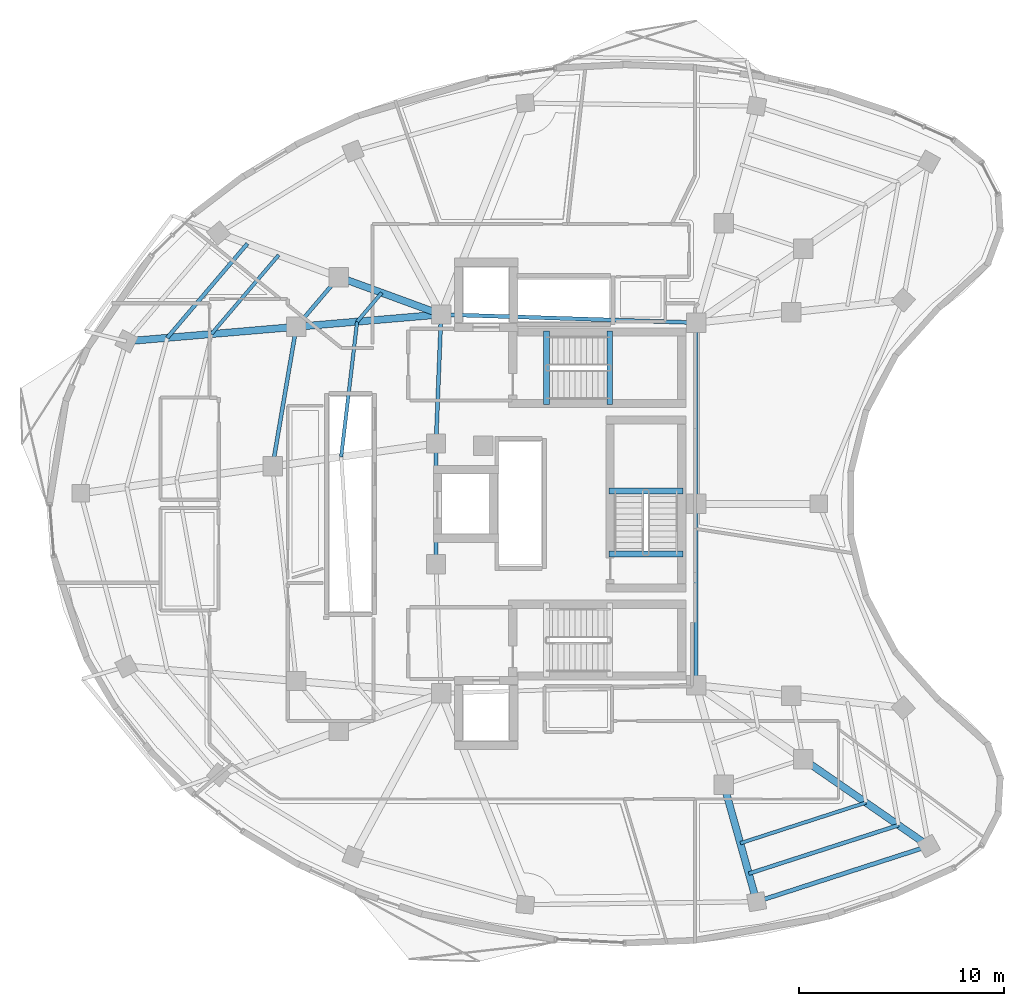
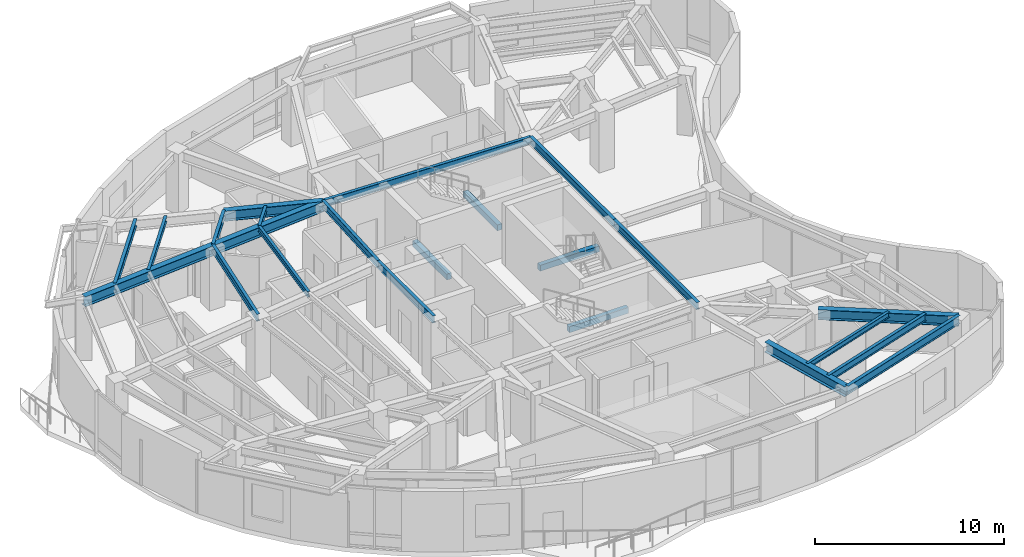
# One storey, part 3 of 14: 23 beams.
"""IFC4 building model written with IfcOpenShell, lengths in metres."""

from ifc_helpers import new_model, si_unit, direction, frame, origin, origin_2d, place, context, subcontext, project, spatial, rectangle, i_section, extrude, material, material_profile, profile_set, type_object, element, save


model = new_model("IFC4")

# Units and contexts
model_context = context("Model", 3, precision=1e-05, world=origin(), true_north=direction((0.0, 1.0)))
body_context = subcontext(model_context, "Body", "Model", "MODEL_VIEW")
ifc_project = project(units=[si_unit("LENGTHUNIT", "METRE"), si_unit("AREAUNIT", "SQUARE_METRE"), si_unit("VOLUMEUNIT", "CUBIC_METRE"), si_unit("PLANEANGLEUNIT", "RADIAN"), si_unit("MASSUNIT", "GRAM", prefix="KILO")], contexts=[model_context])

# Site, building, storey
site_placement = place(None, origin())
site = spatial("IfcSite", under=ifc_project, at=site_placement, CompositionType="ELEMENT")
building_placement = place(site_placement, origin())
building = spatial("IfcBuilding", under=site, at=building_placement, Name="Korentha Bioscience Tower", CompositionType="ELEMENT")
storey_placement = place(building_placement, frame((0.0, 0.0, 247.800048828125)))
storey = spatial("IfcBuildingStorey", under=building, at=storey_placement, Name="L57", CompositionType="ELEMENT", Elevation=247.800048828125)

# Beams
ifc_material_1 = material(Name="Concrete C50", Category="concrete")
ifc_material_profile_1 = material_profile(ifc_material_1, rectangle(XDim=0.280029296875, YDim=0.3798828125, at=origin_2d()), Name="Concrete C50")
ifc_profile_set_1 = profile_set([ifc_material_profile_1], Name="Concrete C50 (ST-HB380)")
beam_type_1 = type_object("IfcBeamType", Name="Concrete Stair Header Beam RC 280x380", PredefinedType="BEAM", material=ifc_profile_set_1)
for number, where, z_axis, x_axis, name in (
    (1, (30.25, 31.85009765625, -0.18994140625), (0.0, 1.0, 0.0), (-1.0, 0.0, 0.0), "L57 ST-1 Concrete Stair Header Beam"),
    (2, (33.330078125, 31.85009765625, 1.909912109375), (0.0, 1.0, 0.0), (-1.0, 0.0, 0.0), "L57 ST-1 Half-Landing Header Beam 1"),
    (3, (36.89990234375, 24.550048828125, -0.18994140625), (-1.0, 0.0, 0.0), (0.0, -1.0, 0.0), "L57 ST-3 Concrete Stair Header Beam"),
    (4, (36.89990234375, 27.6298828125, 1.909912109375), (-1.0, 0.0, 0.0), (0.0, -1.0, 0.0), "L57 ST-3 Half-Landing Header Beam 1"),
):
    element("IfcBeam", number, at=place(storey_placement, frame(where, z_axis=z_axis, x_axis=x_axis)), inside=storey, type_object=beam_type_1, Name=name, PredefinedType="BEAM", context=body_context, shape_type="SweptSolid", body=[
        extrude(rectangle(XDim=0.280029296875, YDim=0.3798828125, at=origin_2d()), origin(), (0.0, 0.0, 1.0), 3.599853515625),
    ])
ifc_material_2 = material(Name="Steel S355", Category="steel")
ifc_material_profile_2 = material_profile(ifc_material_2, i_section(OverallWidth=0.18994140625, OverallDepth=0.45703125, WebThickness=0.009033203125, FlangeThickness=0.014404296875, at=origin_2d()), Name="Steel S355")
ifc_profile_set_2 = profile_set([ifc_material_profile_2], Name="Steel S355 (MB-460)")
beam_type_2 = type_object("IfcBeamType", Name="Mid-Ring Tie Girder W460x74", PredefinedType="BEAM", material=ifc_profile_set_2)
beam_1_placement = place(storey_placement, frame((20.102294921875, 38.07861328125, 3.67138671875), z_axis=(-0.648477940418, -0.761233446974, 0.0), x_axis=(0.761233446974, -0.648477940418, 0.0)))
element("IfcBeam", 5, at=beam_1_placement, inside=storey, type_object=beam_type_2, Name="L57 Mid-Ring Tie Girder 05", PredefinedType="BEAM", context=body_context, shape_type="SweptSolid", body=[
    extrude(i_section(OverallWidth=0.18994140625, OverallDepth=0.45703125, WebThickness=0.009033203125, FlangeThickness=0.014404296875, at=origin_2d()), origin(), (0.0, 0.0, 1.0), 3.193603515625),
])
beam_2_placement = place(storey_placement, frame((18.03125, 35.6474609375, 3.67138671875), z_axis=(-0.168147535946, -0.985761840484, 0.0), x_axis=(0.985761840484, -0.168147535946, 0.0)))
element("IfcBeam", 6, at=beam_2_placement, inside=storey, type_object=beam_type_2, Name="L57 Mid-Ring Tie Girder 06", PredefinedType="BEAM", context=body_context, shape_type="SweptSolid", body=[
    extrude(i_section(OverallWidth=0.18994140625, OverallDepth=0.45703125, WebThickness=0.009033203125, FlangeThickness=0.014404296875, at=origin_2d()), origin(), (0.0, 0.0, 1.0), 6.91552734375),
])
beam_3_placement = place(storey_placement, frame((37.550048828125, 35.85009765625, 3.67138671875), z_axis=(-0.999484526071, 0.032104238723, 0.0), x_axis=(-0.032104238723, -0.999484526071, 0.0)))
element("IfcBeam", 7, at=beam_3_placement, inside=storey, type_object=beam_type_2, Name="L57 Core Ring Tie Girder 01", PredefinedType="BEAM", context=body_context, shape_type="SweptSolid", body=[
    extrude(i_section(OverallWidth=0.18994140625, OverallDepth=0.45703125, WebThickness=0.009033203125, FlangeThickness=0.014404296875, at=origin_2d()), origin(), (0.0, 0.0, 1.0), 12.456298828125),
])
beam_4_placement = place(storey_placement, frame((25.10009765625, 36.25, 3.67138671875), z_axis=(-0.039651025576, -0.999213588864, 0.0), x_axis=(0.999213588864, -0.039651025576, 0.0)))
element("IfcBeam", 8, at=beam_4_placement, inside=storey, type_object=beam_type_2, Name="L57 Core Ring Tie Girder 02", PredefinedType="BEAM", context=body_context, shape_type="SweptSolid", body=[
    extrude(i_section(OverallWidth=0.18994140625, OverallDepth=0.45703125, WebThickness=0.009033203125, FlangeThickness=0.014404296875, at=origin_2d()), origin(), (0.0, 0.0, 1.0), 6.304931640625),
])
beam_5_placement = place(storey_placement, frame((24.85009765625, 29.949951171875, 3.67138671875), z_axis=(0.0, -1.0, 0.0), x_axis=(1.0, 0.0, 0.0)))
element("IfcBeam", 9, at=beam_5_placement, inside=storey, type_object=beam_type_2, Name="L57 Core Ring Tie Girder 03", PredefinedType="BEAM", context=body_context, shape_type="SweptSolid", body=[
    extrude(i_section(OverallWidth=0.18994140625, OverallDepth=0.45703125, WebThickness=0.009033203125, FlangeThickness=0.014404296875, at=origin_2d()), origin(), (0.0, 0.0, 1.0), 5.89990234375),
])
for number, where, z_axis, x_axis, name in (
    (10, (37.550048828125, 18.14990234375, 3.67138671875), (0.0, 1.0, 0.0), (-1.0, 0.0, 0.0), "L57 Core Ring Tie Girder 06"),
    (11, (37.550048828125, 27.0, 3.67138671875), (0.0, 1.0, 0.0), (-1.0, 0.0, 0.0), "L57 Core Ring Tie Girder 07"),
):
    element("IfcBeam", number, at=place(storey_placement, frame(where, z_axis=z_axis, x_axis=x_axis)), inside=storey, type_object=beam_type_2, Name=name, PredefinedType="BEAM", context=body_context, shape_type="SweptSolid", body=[
        extrude(i_section(OverallWidth=0.18994140625, OverallDepth=0.45703125, WebThickness=0.009033203125, FlangeThickness=0.014404296875, at=origin_2d()), origin(), (0.0, 0.0, 1.0), 8.85009765625),
    ])
ifc_material_profile_3 = material_profile(ifc_material_2, i_section(OverallWidth=0.208984375, OverallDepth=0.532958984375, WebThickness=0.01025390625, FlangeThickness=0.015625, at=origin_2d()), Name="Steel S355")
ifc_profile_set_3 = profile_set([ifc_material_profile_3], Name="Steel S355 (SB-530)")
beam_type_3 = type_object("IfcBeamType", Name="Perimeter Ring Spandrel Girder W530x92", PredefinedType="SPANDREL", material=ifc_profile_set_3)
beam_6_placement = place(storey_placement, frame((40.5087890625, 7.576171875, 3.633544921875), z_axis=(0.951540431246, 0.307523670151, 0.0), x_axis=(-0.307523670151, 0.951540431246, 0.0)))
element("IfcBeam", 12, at=beam_6_placement, inside=storey, type_object=beam_type_3, Name="L57 Perimeter Spandrel Girder 12", PredefinedType="SPANDREL", context=body_context, shape_type="SweptSolid", body=[
    extrude(i_section(OverallWidth=0.208984375, OverallDepth=0.532958984375, WebThickness=0.01025390625, FlangeThickness=0.015625, at=origin_2d()), origin(), (0.0, 0.0, 1.0), 8.83203125),
])
ifc_material_profile_4 = material_profile(ifc_material_2, i_section(OverallWidth=0.18994140625, OverallDepth=0.45703125, WebThickness=0.009033203125, FlangeThickness=0.014404296875, at=origin_2d()), Name="Steel S355")
ifc_profile_set_4 = profile_set([ifc_material_profile_4], Name="Steel S355 (RB-460)")
beam_type_4 = type_object("IfcBeamType", Name="Radial Laboratory Beam W460x74", PredefinedType="BEAM", material=ifc_profile_set_4)
beam_7_placement = place(storey_placement, frame((15.643310546875, 39.710205078125, 3.67138671875), z_axis=(-0.64841269497, -0.761289023303, 0.0), x_axis=(0.761289023303, -0.64841269497, 0.0)))
element("IfcBeam", 13, at=beam_7_placement, inside=storey, type_object=beam_type_4, Name="L57 Secondary Floor Beam JSTO-05", PredefinedType="BEAM", context=body_context, shape_type="SweptSolid", body=[
    extrude(i_section(OverallWidth=0.18994140625, OverallDepth=0.45703125, WebThickness=0.009033203125, FlangeThickness=0.014404296875, at=origin_2d()), origin(), (0.0, 0.0, 1.0), 6.043212890625),
])
beam_8_placement = place(storey_placement, frame((40.12548828125, 8.946533203125, 3.67138671875), z_axis=(0.951530655781, 0.307553915777, 0.0), x_axis=(-0.307553915777, 0.951530655781, 0.0)))
element("IfcBeam", 14, at=beam_8_placement, inside=storey, type_object=beam_type_4, Name="L57 Secondary Floor Beam JSTO-12", PredefinedType="BEAM", context=body_context, shape_type="SweptSolid", body=[
    extrude(i_section(OverallWidth=0.18994140625, OverallDepth=0.45703125, WebThickness=0.009033203125, FlangeThickness=0.014404296875, at=origin_2d()), origin(), (0.0, 0.0, 1.0), 7.687255859375),
])
ifc_material_profile_5 = material_profile(ifc_material_2, i_section(OverallWidth=0.35009765625, OverallDepth=0.64990234375, WebThickness=0.01611328125, FlangeThickness=0.02490234375, at=origin_2d()), Name="Steel S355")
ifc_profile_set_5 = profile_set([ifc_material_profile_5], Name="Steel S355 (RB-650)")
beam_type_5 = type_object("IfcBeamType", Name="Radial Laboratory Girder CVS 650x208", PredefinedType="BEAM", material=ifc_profile_set_5)
beam_9_placement = place(storey_placement, frame((25.10009765625, 36.25, 3.574951171875), z_axis=(-0.939113825958, 0.34360620177, 0.0), x_axis=(-0.34360620177, -0.939113825958, 0.0)))
element("IfcBeam", 15, at=beam_9_placement, inside=storey, type_object=beam_type_5, Name="L57 Inner Radial Girder 05", PredefinedType="BEAM", context=body_context, shape_type="SweptSolid", body=[
    extrude(i_section(OverallWidth=0.35009765625, OverallDepth=0.64990234375, WebThickness=0.01611328125, FlangeThickness=0.02490234375, at=origin_2d()), origin(), (0.0, 0.0, 1.0), 5.32177734375),
])
beam_10_placement = place(storey_placement, frame((25.10009765625, 36.25, 3.574951171875), z_axis=(-0.996386862802, -0.084930675464, 0.0), x_axis=(0.084930675464, -0.996386862802, 0.0)))
element("IfcBeam", 16, at=beam_10_placement, inside=storey, type_object=beam_type_5, Name="L57 Inner Radial Girder 06", PredefinedType="BEAM", context=body_context, shape_type="SweptSolid", body=[
    extrude(i_section(OverallWidth=0.35009765625, OverallDepth=0.64990234375, WebThickness=0.01611328125, FlangeThickness=0.02490234375, at=origin_2d()), origin(), (0.0, 0.0, 1.0), 7.094482421875),
])
beam_11_placement = place(storey_placement, frame((18.03125, 35.6474609375, 3.574951171875), z_axis=(-0.996384608351, -0.084957120013, 0.0), x_axis=(0.084957120013, -0.996384608351, 0.0)))
element("IfcBeam", 17, at=beam_11_placement, inside=storey, type_object=beam_type_5, Name="L57 Outer Radial Girder 06", PredefinedType="BEAM", context=body_context, shape_type="SweptSolid", body=[
    extrude(i_section(OverallWidth=0.35009765625, OverallDepth=0.64990234375, WebThickness=0.01611328125, FlangeThickness=0.02490234375, at=origin_2d()), origin(), (0.0, 0.0, 1.0), 8.327880859375),
])
beam_12_placement = place(storey_placement, frame((38.9111328125, 13.285888671875, 3.574951171875), z_axis=(0.269463441067, -0.963010619842, 0.0), x_axis=(0.963010619842, 0.269463441067, 0.0)))
element("IfcBeam", 18, at=beam_12_placement, inside=storey, type_object=beam_type_5, Name="L57 Outer Radial Girder 12", PredefinedType="BEAM", context=body_context, shape_type="SweptSolid", body=[
    extrude(i_section(OverallWidth=0.35009765625, OverallDepth=0.64990234375, WebThickness=0.01611328125, FlangeThickness=0.02490234375, at=origin_2d()), origin(), (0.0, 0.0, 1.0), 5.928955078125),
])
beam_13_placement = place(storey_placement, frame((42.77685546875, 14.535400390625, 3.574951171875), z_axis=(0.822494853441, -0.568772552135, 0.0), x_axis=(0.568772552135, 0.822494853441, 0.0)))
element("IfcBeam", 19, at=beam_13_placement, inside=storey, type_object=beam_type_5, Name="L57 Outer Radial Girder 13", PredefinedType="BEAM", context=body_context, shape_type="SweptSolid", body=[
    extrude(i_section(OverallWidth=0.35009765625, OverallDepth=0.64990234375, WebThickness=0.01611328125, FlangeThickness=0.02490234375, at=origin_2d()), origin(), (0.0, 0.0, 1.0), 7.460205078125),
])
ifc_material_profile_6 = material_profile(ifc_material_2, i_section(OverallWidth=0.1708984375, OverallDepth=0.35498046875, WebThickness=0.007080078125, FlangeThickness=0.01171875, at=origin_2d()), Name="Steel S355")
ifc_profile_set_6 = profile_set([ifc_material_profile_6], Name="Steel S355 (JB-360)")
beam_type_6 = type_object("IfcBeamType", Name="Secondary Laboratory Joist W360x51", PredefinedType="JOIST", material=ifc_profile_set_6)
beam_14_placement = place(storey_placement, frame((17.168701171875, 39.152099609375, 3.722412109375), z_axis=(-0.648419930644, -0.761282860404, 0.0), x_axis=(0.761282860404, -0.648419930644, 0.0)))
element("IfcBeam", 20, at=beam_14_placement, inside=storey, type_object=beam_type_6, Name="L57 Secondary Floor Beam JST-05", PredefinedType="JOIST", context=body_context, shape_type="SweptSolid", body=[
    extrude(i_section(OverallWidth=0.1708984375, OverallDepth=0.35498046875, WebThickness=0.007080078125, FlangeThickness=0.01171875, at=origin_2d()), origin(), (0.0, 0.0, 1.0), 5.068359375),
])
beam_15_placement = place(storey_placement, frame((22.201416015625, 37.310546875, 3.722412109375), z_axis=(-0.648443825531, -0.761262507372, 0.0), x_axis=(0.761262507372, -0.648443825531, 0.0)))
element("IfcBeam", 21, at=beam_15_placement, inside=storey, type_object=beam_type_6, Name="L57 Inner Bay Joist 05", PredefinedType="JOIST", context=body_context, shape_type="SweptSolid", body=[
    extrude(i_section(OverallWidth=0.1708984375, OverallDepth=0.35498046875, WebThickness=0.007080078125, FlangeThickness=0.01171875, at=origin_2d()), origin(), (0.0, 0.0, 1.0), 1.852294921875),
])
beam_16_placement = place(storey_placement, frame((21.000244140625, 35.900390625, 3.722412109375), z_axis=(-0.117299500462, -0.993096585027, 0.0), x_axis=(0.993096585027, -0.117299500462, 0.0)))
element("IfcBeam", 22, at=beam_16_placement, inside=storey, type_object=beam_type_6, Name="L57 Inner Bay Joist 06", PredefinedType="JOIST", context=body_context, shape_type="SweptSolid", body=[
    extrude(i_section(OverallWidth=0.1708984375, OverallDepth=0.35498046875, WebThickness=0.007080078125, FlangeThickness=0.01171875, at=origin_2d()), origin(), (0.0, 0.0, 1.0), 6.645751953125),
])
beam_17_placement = place(storey_placement, frame((39.7099609375, 10.430908203125, 3.722412109375), z_axis=(0.951532872692, 0.307547056867, 0.0), x_axis=(-0.307547056867, 0.951532872692, 0.0)))
element("IfcBeam", 23, at=beam_17_placement, inside=storey, type_object=beam_type_6, Name="L57 Secondary Floor Beam JST-12", PredefinedType="JOIST", context=body_context, shape_type="SweptSolid", body=[
    extrude(i_section(OverallWidth=0.1708984375, OverallDepth=0.35498046875, WebThickness=0.007080078125, FlangeThickness=0.01171875, at=origin_2d()), origin(), (0.0, 0.0, 1.0), 6.447509765625),
])

save(model, "model.ifc")
